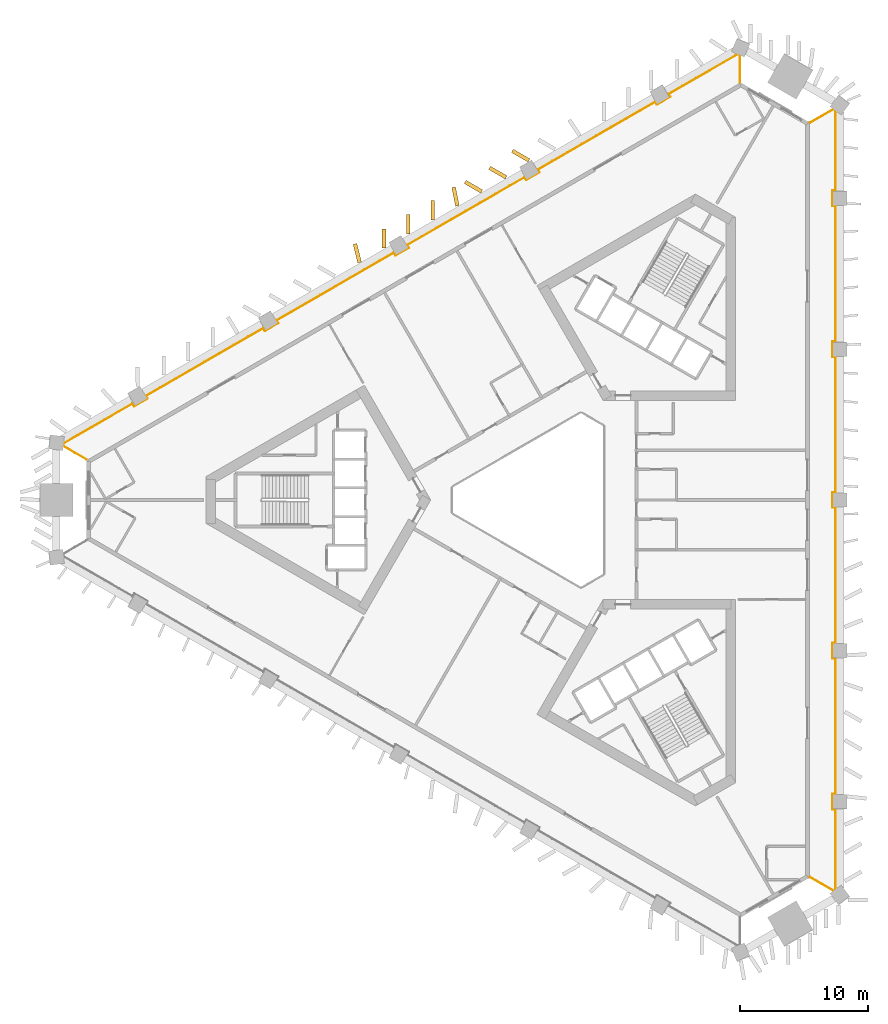
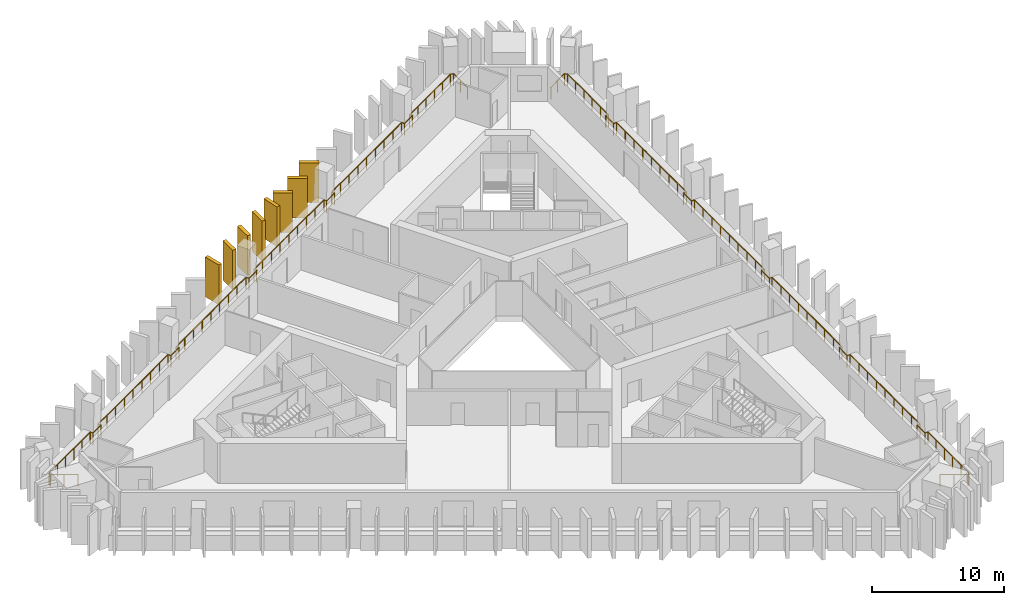
# One storey, part 10 of 11: 8 shading devices, 2 railings.
"""IFC4 building model written with IfcOpenShell, lengths in metres."""

from ifc_helpers import new_model, si_unit, direction, frame, frame_2d, origin, origin_2d, place, context, subcontext, project, spatial, rectangle, circle, extrude, material, layer, layer_set, type_object, element, save


model = new_model("IFC4")

# Units and contexts
model_context = context("Model", 3, precision=1e-05, world=origin(), true_north=direction((0.0, 1.0)))
body_context = subcontext(model_context, "Body", "Model", "MODEL_VIEW")
ifc_project = project(units=[si_unit("LENGTHUNIT", "METRE"), si_unit("AREAUNIT", "SQUARE_METRE"), si_unit("VOLUMEUNIT", "CUBIC_METRE"), si_unit("PLANEANGLEUNIT", "RADIAN"), si_unit("MASSUNIT", "GRAM", prefix="KILO")], contexts=[model_context])

# Site, building, storey
site_placement = place(None, origin())
site = spatial("IfcSite", under=ifc_project, at=site_placement, CompositionType="ELEMENT")
building_placement = place(site_placement, origin())
building = spatial("IfcBuilding", under=site, at=building_placement, Name="Jabali Bay Hotel Tower and Convention Centre", CompositionType="ELEMENT")
storey_placement = place(building_placement, frame((0.0, 0.0, 79.5)))
storey = spatial("IfcBuildingStorey", under=building, at=storey_placement, Name="L18", CompositionType="ELEMENT", Elevation=79.5)

# Railings
ifc_material_1 = material(Name="Glass", Category="glass")
railing_type = type_object("IfcRailingType", Name="Loggia glass guard 1100", PredefinedType="BALUSTRADE", material=ifc_material_1)
railing_1_placement = place(storey_placement, frame((95.70068359375, 109.533447265625, 0.0)))
element("IfcRailing", 1, at=railing_1_placement, inside=storey, type_object=railing_type, Name="Loggia glass guard L18", PredefinedType="BALUSTRADE", context=body_context, shape_type="SweptSolid", body=[
    extrude(circle(Radius=0.02490234375, at=origin_2d()), frame((0.0, 0.0, 1.0751953125), z_axis=(0.866006443985, 0.500032837899, 0.0), x_axis=(-0.495754987653, 0.858597638805, 0.13052619222)), (0.0, 0.0, 1.0), 2.110595703125),
    extrude(circle(Radius=0.02490234375, at=origin_2d()), frame((1.827880859375, 1.055419921875, 1.0751953125), z_axis=(0.80204311034, -0.597266145998, 0.0), x_axis=(0.592156451322, 0.795181520347, 0.13052619222)), (0.0, 0.0, 1.0), 0.214599609375),
    extrude(circle(Radius=0.02490234375, at=origin_2d()), frame((2.0, 0.92724609375, 1.0751953125), z_axis=(0.0, -1.0, 0.0), x_axis=(0.991444861374, 0.0, 0.13052619222)), (0.0, 0.0, 1.0), 6.236328125),
    extrude(circle(Radius=0.02490234375, at=origin_2d()), frame((2.0, -5.30908203125, 1.0751953125), z_axis=(-1.0, 0.0, 0.0), x_axis=(0.0, -0.991444861374, 0.13052619222)), (0.0, 0.0, 1.0), 0.25),
    extrude(circle(Radius=0.02490234375, at=origin_2d()), frame((1.75, -5.30908203125, 1.0751953125), z_axis=(0.0, -1.0, 0.0), x_axis=(0.991444861374, 0.0, 0.13052619222)), (0.0, 0.0, 1.0), 1.199951171875),
    extrude(circle(Radius=0.02490234375, at=origin_2d()), frame((1.75, -6.509033203125, 1.0751953125), z_axis=(1.0, 0.0, 0.0), x_axis=(0.0, 0.991444861374, 0.13052619222)), (0.0, 0.0, 1.0), 0.25),
    extrude(circle(Radius=0.02490234375, at=origin_2d()), frame((2.0, -6.509033203125, 1.0751953125), z_axis=(0.0, -1.0, 0.0), x_axis=(0.991444861374, 0.0, 0.13052619222)), (0.0, 0.0, 1.0), 10.6123046875),
    extrude(circle(Radius=0.02490234375, at=origin_2d()), frame((2.0, -17.121337890625, 1.0751953125), z_axis=(-1.0, 0.0, 0.0), x_axis=(0.0, -0.991444861374, 0.13052619222)), (0.0, 0.0, 1.0), 0.25),
    extrude(circle(Radius=0.02490234375, at=origin_2d()), frame((1.75, -17.121337890625, 1.0751953125), z_axis=(0.0, -1.0, 0.0), x_axis=(0.991444861374, 0.0, 0.13052619222)), (0.0, 0.0, 1.0), 1.199951171875),
    extrude(circle(Radius=0.02490234375, at=origin_2d()), frame((1.75, -18.3212890625, 1.0751953125), z_axis=(1.0, 0.0, 0.0), x_axis=(0.0, 0.991444861374, 0.13052619222)), (0.0, 0.0, 1.0), 0.25),
    extrude(circle(Radius=0.02490234375, at=origin_2d()), frame((2.0, -18.3212890625, 1.0751953125), z_axis=(0.0, -1.0, 0.0), x_axis=(0.991444861374, 0.0, 0.13052619222)), (0.0, 0.0, 1.0), 10.612060546875),
    extrude(circle(Radius=0.02490234375, at=origin_2d()), frame((2.0, -28.933349609375, 1.0751953125), z_axis=(-1.0, 0.0, 0.0), x_axis=(0.0, -0.991444861374, 0.13052619222)), (0.0, 0.0, 1.0), 0.25),
    extrude(circle(Radius=0.02490234375, at=origin_2d()), frame((1.75, -28.933349609375, 1.0751953125), z_axis=(0.0, -1.0, 0.0), x_axis=(0.991444861374, 0.0, 0.13052619222)), (0.0, 0.0, 1.0), 1.2001953125),
    extrude(circle(Radius=0.02490234375, at=origin_2d()), frame((1.75, -30.133544921875, 1.0751953125), z_axis=(1.0, 0.0, 0.0), x_axis=(0.0, 0.991444861374, 0.13052619222)), (0.0, 0.0, 1.0), 0.25),
    extrude(circle(Radius=0.02490234375, at=origin_2d()), frame((2.0, -30.133544921875, 1.0751953125), z_axis=(0.0, -1.0, 0.0), x_axis=(0.991444861374, 0.0, 0.13052619222)), (0.0, 0.0, 1.0), 10.612060546875),
    extrude(circle(Radius=0.02490234375, at=origin_2d()), frame((2.0, -40.74560546875, 1.0751953125), z_axis=(-1.0, 0.0, 0.0), x_axis=(0.0, -0.991444861374, 0.13052619222)), (0.0, 0.0, 1.0), 0.25),
    extrude(circle(Radius=0.02490234375, at=origin_2d()), frame((1.75, -40.74560546875, 1.0751953125), z_axis=(0.0, -1.0, 0.0), x_axis=(0.991444861374, 0.0, 0.13052619222)), (0.0, 0.0, 1.0), 1.199951171875),
    extrude(circle(Radius=0.02490234375, at=origin_2d()), frame((1.75, -41.945556640625, 1.0751953125), z_axis=(1.0, 0.0, 0.0), x_axis=(0.0, 0.991444861374, 0.13052619222)), (0.0, 0.0, 1.0), 0.25),
    extrude(circle(Radius=0.02490234375, at=origin_2d()), frame((2.0, -41.945556640625, 1.0751953125), z_axis=(0.0, -1.0, 0.0), x_axis=(0.991444861374, 0.0, 0.13052619222)), (0.0, 0.0, 1.0), 10.6123046875),
    extrude(circle(Radius=0.02490234375, at=origin_2d()), frame((2.0, -52.557861328125, 1.0751953125), z_axis=(-1.0, 0.0, 0.0), x_axis=(0.0, -0.991444861374, 0.13052619222)), (0.0, 0.0, 1.0), 0.25),
    extrude(circle(Radius=0.02490234375, at=origin_2d()), frame((1.75, -52.557861328125, 1.0751953125), z_axis=(0.0, -1.0, 0.0), x_axis=(0.991444861374, 0.0, 0.13052619222)), (0.0, 0.0, 1.0), 1.199951171875),
    extrude(circle(Radius=0.02490234375, at=origin_2d()), frame((1.75, -53.7578125, 1.0751953125), z_axis=(1.0, 0.0, 0.0), x_axis=(0.0, 0.991444861374, 0.13052619222)), (0.0, 0.0, 1.0), 0.25),
    extrude(circle(Radius=0.02490234375, at=origin_2d()), frame((2.0, -53.7578125, 1.0751953125), z_axis=(0.0, -1.0, 0.0), x_axis=(0.991444861374, 0.0, 0.13052619222)), (0.0, 0.0, 1.0), 6.236328125),
    extrude(circle(Radius=0.02490234375, at=origin_2d()), frame((2.0, -59.994140625, 1.0751953125), z_axis=(-0.80204311034, -0.597266145998, 0.0), x_axis=(0.592156451322, -0.795181520347, 0.13052619222)), (0.0, 0.0, 1.0), 0.214599609375),
    extrude(circle(Radius=0.02490234375, at=origin_2d()), frame((1.827880859375, -60.122314453125, 1.0751953125), z_axis=(-0.866006443985, 0.500032837899, 0.0), x_axis=(-0.495754987653, -0.858597638805, 0.13052619222)), (0.0, 0.0, 1.0), 2.110595703125),
    extrude(circle(Radius=0.02001953125, at=origin_2d()), origin(), (0.0, 0.0, 1.0), 1.050048828125),
    extrude(circle(Radius=0.02001953125, at=origin_2d()), frame((0.9140625, 0.52783203125, 0.0)), (0.0, 0.0, 1.0), 1.050048828125),
    extrude(circle(Radius=0.02001953125, at=origin_2d()), frame((1.827880859375, 1.055419921875, 0.0)), (0.0, 0.0, 1.0), 1.050048828125),
    extrude(circle(Radius=0.02001953125, at=origin_2d()), frame((2.0, 0.92724609375, 0.0)), (0.0, 0.0, 1.0), 1.050048828125),
    extrude(circle(Radius=0.02001953125, at=origin_2d()), frame((2.0, -0.320068359375, 0.0)), (0.0, 0.0, 1.0), 1.050048828125),
    extrude(circle(Radius=0.02001953125, at=origin_2d()), frame((2.0, -1.5673828125, 0.0)), (0.0, 0.0, 1.0), 1.050048828125),
    extrude(circle(Radius=0.02001953125, at=origin_2d()), frame((2.0, -2.814453125, 0.0)), (0.0, 0.0, 1.0), 1.050048828125),
    extrude(circle(Radius=0.02001953125, at=origin_2d()), frame((2.0, -4.061767578125, 0.0)), (0.0, 0.0, 1.0), 1.050048828125),
    extrude(circle(Radius=0.02001953125, at=origin_2d()), frame((2.0, -5.30908203125, 0.0)), (0.0, 0.0, 1.0), 1.050048828125),
    extrude(circle(Radius=0.02001953125, at=origin_2d()), frame((1.75, -5.30908203125, 0.0)), (0.0, 0.0, 1.0), 1.050048828125),
    extrude(circle(Radius=0.02001953125, at=origin_2d()), frame((1.75, -6.509033203125, 0.0)), (0.0, 0.0, 1.0), 1.050048828125),
    extrude(circle(Radius=0.02001953125, at=origin_2d()), frame((2.0, -6.509033203125, 0.0)), (0.0, 0.0, 1.0), 1.050048828125),
    extrude(circle(Radius=0.02001953125, at=origin_2d()), frame((2.0, -7.83544921875, 0.0)), (0.0, 0.0, 1.0), 1.050048828125),
    extrude(circle(Radius=0.02001953125, at=origin_2d()), frame((2.0, -9.162109375, 0.0)), (0.0, 0.0, 1.0), 1.050048828125),
    extrude(circle(Radius=0.02001953125, at=origin_2d()), frame((2.0, -10.48876953125, 0.0)), (0.0, 0.0, 1.0), 1.050048828125),
    extrude(circle(Radius=0.02001953125, at=origin_2d()), frame((2.0, -11.815185546875, 0.0)), (0.0, 0.0, 1.0), 1.050048828125),
    extrude(circle(Radius=0.02001953125, at=origin_2d()), frame((2.0, -13.1416015625, 0.0)), (0.0, 0.0, 1.0), 1.050048828125),
    extrude(circle(Radius=0.02001953125, at=origin_2d()), frame((2.0, -14.46826171875, 0.0)), (0.0, 0.0, 1.0), 1.050048828125),
    extrude(circle(Radius=0.02001953125, at=origin_2d()), frame((2.0, -15.794921875, 0.0)), (0.0, 0.0, 1.0), 1.050048828125),
    extrude(circle(Radius=0.02001953125, at=origin_2d()), frame((2.0, -17.121337890625, 0.0)), (0.0, 0.0, 1.0), 1.050048828125),
    extrude(circle(Radius=0.02001953125, at=origin_2d()), frame((1.75, -17.121337890625, 0.0)), (0.0, 0.0, 1.0), 1.050048828125),
    extrude(circle(Radius=0.02001953125, at=origin_2d()), frame((1.75, -18.3212890625, 0.0)), (0.0, 0.0, 1.0), 1.050048828125),
    extrude(circle(Radius=0.02001953125, at=origin_2d()), frame((2.0, -18.3212890625, 0.0)), (0.0, 0.0, 1.0), 1.050048828125),
    extrude(circle(Radius=0.02001953125, at=origin_2d()), frame((2.0, -19.647705078125, 0.0)), (0.0, 0.0, 1.0), 1.050048828125),
    extrude(circle(Radius=0.02001953125, at=origin_2d()), frame((2.0, -20.974365234375, 0.0)), (0.0, 0.0, 1.0), 1.050048828125),
    extrude(circle(Radius=0.02001953125, at=origin_2d()), frame((2.0, -22.30078125, 0.0)), (0.0, 0.0, 1.0), 1.050048828125),
    extrude(circle(Radius=0.02001953125, at=origin_2d()), frame((2.0, -23.62744140625, 0.0)), (0.0, 0.0, 1.0), 1.050048828125),
    extrude(circle(Radius=0.02001953125, at=origin_2d()), frame((2.0, -24.953857421875, 0.0)), (0.0, 0.0, 1.0), 1.050048828125),
    extrude(circle(Radius=0.02001953125, at=origin_2d()), frame((2.0, -26.2802734375, 0.0)), (0.0, 0.0, 1.0), 1.050048828125),
    extrude(circle(Radius=0.02001953125, at=origin_2d()), frame((2.0, -27.60693359375, 0.0)), (0.0, 0.0, 1.0), 1.050048828125),
    extrude(circle(Radius=0.02001953125, at=origin_2d()), frame((2.0, -28.933349609375, 0.0)), (0.0, 0.0, 1.0), 1.050048828125),
    extrude(circle(Radius=0.02001953125, at=origin_2d()), frame((1.75, -28.933349609375, 0.0)), (0.0, 0.0, 1.0), 1.050048828125),
    extrude(circle(Radius=0.02001953125, at=origin_2d()), frame((1.75, -30.133544921875, 0.0)), (0.0, 0.0, 1.0), 1.050048828125),
    extrude(circle(Radius=0.02001953125, at=origin_2d()), frame((2.0, -30.133544921875, 0.0)), (0.0, 0.0, 1.0), 1.050048828125),
    extrude(circle(Radius=0.02001953125, at=origin_2d()), frame((2.0, -31.4599609375, 0.0)), (0.0, 0.0, 1.0), 1.050048828125),
    extrude(circle(Radius=0.02001953125, at=origin_2d()), frame((2.0, -32.78662109375, 0.0)), (0.0, 0.0, 1.0), 1.050048828125),
    extrude(circle(Radius=0.02001953125, at=origin_2d()), frame((2.0, -34.113037109375, 0.0)), (0.0, 0.0, 1.0), 1.050048828125),
    extrude(circle(Radius=0.02001953125, at=origin_2d()), frame((2.0, -35.439453125, 0.0)), (0.0, 0.0, 1.0), 1.050048828125),
    extrude(circle(Radius=0.02001953125, at=origin_2d()), frame((2.0, -36.76611328125, 0.0)), (0.0, 0.0, 1.0), 1.050048828125),
    extrude(circle(Radius=0.02001953125, at=origin_2d()), frame((2.0, -38.092529296875, 0.0)), (0.0, 0.0, 1.0), 1.050048828125),
    extrude(circle(Radius=0.02001953125, at=origin_2d()), frame((2.0, -39.419189453125, 0.0)), (0.0, 0.0, 1.0), 1.050048828125),
    extrude(circle(Radius=0.02001953125, at=origin_2d()), frame((2.0, -40.74560546875, 0.0)), (0.0, 0.0, 1.0), 1.050048828125),
    extrude(circle(Radius=0.02001953125, at=origin_2d()), frame((1.75, -40.74560546875, 0.0)), (0.0, 0.0, 1.0), 1.050048828125),
    extrude(circle(Radius=0.02001953125, at=origin_2d()), frame((1.75, -41.945556640625, 0.0)), (0.0, 0.0, 1.0), 1.050048828125),
    extrude(circle(Radius=0.02001953125, at=origin_2d()), frame((2.0, -41.945556640625, 0.0)), (0.0, 0.0, 1.0), 1.050048828125),
    extrude(circle(Radius=0.02001953125, at=origin_2d()), frame((2.0, -43.27197265625, 0.0)), (0.0, 0.0, 1.0), 1.050048828125),
    extrude(circle(Radius=0.02001953125, at=origin_2d()), frame((2.0, -44.5986328125, 0.0)), (0.0, 0.0, 1.0), 1.050048828125),
    extrude(circle(Radius=0.02001953125, at=origin_2d()), frame((2.0, -45.92529296875, 0.0)), (0.0, 0.0, 1.0), 1.050048828125),
    extrude(circle(Radius=0.02001953125, at=origin_2d()), frame((2.0, -47.251708984375, 0.0)), (0.0, 0.0, 1.0), 1.050048828125),
    extrude(circle(Radius=0.02001953125, at=origin_2d()), frame((2.0, -48.578125, 0.0)), (0.0, 0.0, 1.0), 1.050048828125),
    extrude(circle(Radius=0.02001953125, at=origin_2d()), frame((2.0, -49.90478515625, 0.0)), (0.0, 0.0, 1.0), 1.050048828125),
    extrude(circle(Radius=0.02001953125, at=origin_2d()), frame((2.0, -51.2314453125, 0.0)), (0.0, 0.0, 1.0), 1.050048828125),
    extrude(circle(Radius=0.02001953125, at=origin_2d()), frame((2.0, -52.557861328125, 0.0)), (0.0, 0.0, 1.0), 1.050048828125),
    extrude(circle(Radius=0.02001953125, at=origin_2d()), frame((1.75, -52.557861328125, 0.0)), (0.0, 0.0, 1.0), 1.050048828125),
    extrude(circle(Radius=0.02001953125, at=origin_2d()), frame((1.75, -53.7578125, 0.0)), (0.0, 0.0, 1.0), 1.050048828125),
    extrude(circle(Radius=0.02001953125, at=origin_2d()), frame((2.0, -53.7578125, 0.0)), (0.0, 0.0, 1.0), 1.050048828125),
    extrude(circle(Radius=0.02001953125, at=origin_2d()), frame((2.0, -55.005126953125, 0.0)), (0.0, 0.0, 1.0), 1.050048828125),
    extrude(circle(Radius=0.02001953125, at=origin_2d()), frame((2.0, -56.25244140625, 0.0)), (0.0, 0.0, 1.0), 1.050048828125),
    extrude(circle(Radius=0.02001953125, at=origin_2d()), frame((2.0, -57.49951171875, 0.0)), (0.0, 0.0, 1.0), 1.050048828125),
    extrude(circle(Radius=0.02001953125, at=origin_2d()), frame((2.0, -58.746826171875, 0.0)), (0.0, 0.0, 1.0), 1.050048828125),
    extrude(circle(Radius=0.02001953125, at=origin_2d()), frame((2.0, -59.994140625, 0.0)), (0.0, 0.0, 1.0), 1.050048828125),
    extrude(circle(Radius=0.02001953125, at=origin_2d()), frame((1.827880859375, -60.122314453125, 0.0)), (0.0, 0.0, 1.0), 1.050048828125),
    extrude(circle(Radius=0.02001953125, at=origin_2d()), frame((0.9140625, -59.5947265625, 0.0)), (0.0, 0.0, 1.0), 1.050048828125),
    extrude(circle(Radius=0.02001953125, at=origin_2d()), frame((0.0, -59.06689453125, 0.0)), (0.0, 0.0, 1.0), 1.050048828125),
])
railing_2_placement = place(storey_placement, frame((39.072998046875, 83.160400390625, 0.0)))
element("IfcRailing", 2, at=railing_2_placement, inside=storey, type_object=railing_type, Name="Loggia glass guard L18", PredefinedType="BALUSTRADE", context=body_context, shape_type="SweptSolid", body=[
    extrude(circle(Radius=0.02490234375, at=origin_2d()), frame((0.0, 0.0, 1.0751953125), z_axis=(-0.866006443985, 0.500032837899, 0.0), x_axis=(-0.495754987653, -0.858597638805, 0.13052619222)), (0.0, 0.0, 1.0), 2.110595703125),
    extrude(circle(Radius=0.02490234375, at=origin_2d()), frame((-1.827880859375, 1.055419921875, 1.0751953125), z_axis=(0.116049066602, 0.993243481801, 0.0), x_axis=(-0.984746146125, 0.11505625075, 0.13052619222)), (0.0, 0.0, 1.0), 0.214599609375),
    extrude(circle(Radius=0.02490234375, at=origin_2d()), frame((-1.802978515625, 1.2685546875, 1.0751953125), z_axis=(0.866027821991, 0.499995811521, 0.0), x_axis=(-0.495718278041, 0.858618833919, 0.13052619222)), (0.0, 0.0, 1.0), 6.236328125),
    extrude(circle(Radius=0.02490234375, at=origin_2d()), frame((3.597900390625, 4.38671875, 1.0751953125), z_axis=(0.499919672301, -0.866071776036, 0.0), x_axis=(0.858662411932, 0.495642790202, 0.13052619222)), (0.0, 0.0, 1.0), 0.25),
    extrude(circle(Radius=0.02490234375, at=origin_2d()), frame((3.722900390625, 4.170166015625, 1.0751953125), z_axis=(0.865955154139, 0.50012165622, 0.0), x_axis=(-0.495843046121, 0.858546787751, 0.13052619222)), (0.0, 0.0, 1.0), 1.199951171875),
    extrude(circle(Radius=0.02490234375, at=origin_2d()), frame((4.761962890625, 4.770263671875, 1.0751953125), z_axis=(-0.499919672301, 0.866071776036, 0.0), x_axis=(-0.858662411932, -0.495642790202, 0.13052619222)), (0.0, 0.0, 1.0), 0.25),
    extrude(circle(Radius=0.02490234375, at=origin_2d()), frame((4.636962890625, 4.98681640625, 1.0751953125), z_axis=(0.866023147778, 0.500003907497, 0.0), x_axis=(-0.495726304755, 0.858614199696, 0.13052619222)), (0.0, 0.0, 1.0), 10.6123046875),
    extrude(circle(Radius=0.02490234375, at=origin_2d()), frame((13.827392578125, 10.29296875, 1.0751953125), z_axis=(0.499919672301, -0.866071776036, 0.0), x_axis=(0.858662411932, 0.495642790202, 0.13052619222)), (0.0, 0.0, 1.0), 0.25),
    extrude(circle(Radius=0.02490234375, at=origin_2d()), frame((13.952392578125, 10.076416015625, 1.0751953125), z_axis=(0.866094119867, 0.499880961361, 0.0), x_axis=(-0.49560441044, 0.858684564609, 0.13052619222)), (0.0, 0.0, 1.0), 1.199951171875),
    extrude(circle(Radius=0.02490234375, at=origin_2d()), frame((14.99169921875, 10.67626953125, 1.0751953125), z_axis=(-0.499919672301, 0.866071776036, 0.0), x_axis=(-0.858662411932, -0.495642790202, 0.13052619222)), (0.0, 0.0, 1.0), 0.25),
    extrude(circle(Radius=0.02490234375, at=origin_2d()), frame((14.86669921875, 10.892822265625, 1.0751953125), z_axis=(0.866023147778, 0.500003907497, 0.0), x_axis=(-0.495726304755, 0.858614199696, 0.13052619222)), (0.0, 0.0, 1.0), 10.6123046875),
    extrude(circle(Radius=0.02490234375, at=origin_2d()), frame((24.05712890625, 16.198974609375, 1.0751953125), z_axis=(0.499919672301, -0.866071776036, 0.0), x_axis=(0.858662411932, 0.495642790202, 0.13052619222)), (0.0, 0.0, 1.0), 0.25),
    extrude(circle(Radius=0.02490234375, at=origin_2d()), frame((24.18212890625, 15.982421875, 1.0751953125), z_axis=(0.865955154139, 0.50012165622, 0.0), x_axis=(-0.495843046121, 0.858546787751, 0.13052619222)), (0.0, 0.0, 1.0), 1.199951171875),
    extrude(circle(Radius=0.02490234375, at=origin_2d()), frame((25.22119140625, 16.58251953125, 1.0751953125), z_axis=(-0.500342721131, 0.865827443207, 0.0), x_axis=(-0.858420169404, -0.496062219791, 0.13052619222)), (0.0, 0.0, 1.0), 0.249755859375),
    extrude(circle(Radius=0.02490234375, at=origin_2d()), frame((25.09619140625, 16.798828125, 1.0751953125), z_axis=(0.866023147778, 0.500003907497, 0.0), x_axis=(-0.495726304755, 0.858614199696, 0.13052619222)), (0.0, 0.0, 1.0), 10.6123046875),
    extrude(circle(Radius=0.02490234375, at=origin_2d()), frame((34.28662109375, 22.10498046875, 1.0751953125), z_axis=(0.499919672301, -0.866071776036, 0.0), x_axis=(0.858662411932, 0.495642790202, 0.13052619222)), (0.0, 0.0, 1.0), 0.25),
    extrude(circle(Radius=0.02490234375, at=origin_2d()), frame((34.41162109375, 21.888427734375, 1.0751953125), z_axis=(0.866006032174, 0.500033551112, 0.0), x_axis=(-0.495755694765, 0.858597230518, 0.13052619222)), (0.0, 0.0, 1.0), 1.2001953125),
    extrude(circle(Radius=0.02490234375, at=origin_2d()), frame((35.450927734375, 22.488525390625, 1.0751953125), z_axis=(-0.499919672301, 0.866071776036, 0.0), x_axis=(-0.858662411932, -0.495642790202, 0.13052619222)), (0.0, 0.0, 1.0), 0.25),
    extrude(circle(Radius=0.02490234375, at=origin_2d()), frame((35.325927734375, 22.705078125, 1.0751953125), z_axis=(0.866033109494, 0.499986653082, 0.0), x_axis=(-0.495709197954, 0.858624076187, 0.13052619222)), (0.0, 0.0, 1.0), 10.612060546875),
    extrude(circle(Radius=0.02490234375, at=origin_2d()), frame((44.516357421875, 28.010986328125, 1.0751953125), z_axis=(0.500342721131, -0.865827443207, 0.0), x_axis=(0.858420169404, 0.496062219791, 0.13052619222)), (0.0, 0.0, 1.0), 0.249755859375),
    extrude(circle(Radius=0.02490234375, at=origin_2d()), frame((44.641357421875, 27.794677734375, 1.0751953125), z_axis=(0.866094119867, 0.499880961361, 0.0), x_axis=(-0.49560441044, 0.858684564609, 0.13052619222)), (0.0, 0.0, 1.0), 1.199951171875),
    extrude(circle(Radius=0.02490234375, at=origin_2d()), frame((45.6806640625, 28.39453125, 1.0751953125), z_axis=(-0.499919672301, 0.866071776036, 0.0), x_axis=(-0.858662411932, -0.495642790202, 0.13052619222)), (0.0, 0.0, 1.0), 0.25),
    extrude(circle(Radius=0.02490234375, at=origin_2d()), frame((45.5556640625, 28.611083984375, 1.0751953125), z_axis=(0.866018034705, 0.500012763403, 0.0), x_axis=(-0.495735084898, 0.858609130365, 0.13052619222)), (0.0, 0.0, 1.0), 6.236083984375),
    extrude(circle(Radius=0.02490234375, at=origin_2d()), frame((50.956298828125, 31.729248046875, 1.0751953125), z_axis=(0.918438029816, -0.395564894029, 0.0), x_axis=(0.392180781525, 0.910580665151, 0.13052619222)), (0.0, 0.0, 1.0), 0.21484375),
    extrude(circle(Radius=0.02490234375, at=origin_2d()), frame((51.153564453125, 31.644287109375, 1.0751953125), z_axis=(0.0, -1.0, 0.0), x_axis=(0.991444861374, 0.0, 0.13052619222)), (0.0, 0.0, 1.0), 2.110595703125),
    extrude(circle(Radius=0.02001953125, at=origin_2d()), origin(), (0.0, 0.0, 1.0), 1.050048828125),
    extrude(circle(Radius=0.02001953125, at=origin_2d()), frame((-0.9140625, 0.52783203125, 0.0)), (0.0, 0.0, 1.0), 1.050048828125),
    extrude(circle(Radius=0.02001953125, at=origin_2d()), frame((-1.827880859375, 1.055419921875, 0.0)), (0.0, 0.0, 1.0), 1.050048828125),
    extrude(circle(Radius=0.02001953125, at=origin_2d()), frame((-1.802978515625, 1.2685546875, 0.0)), (0.0, 0.0, 1.0), 1.050048828125),
    extrude(circle(Radius=0.02001953125, at=origin_2d()), frame((-0.722900390625, 1.89208984375, 0.0)), (0.0, 0.0, 1.0), 1.050048828125),
    extrude(circle(Radius=0.02001953125, at=origin_2d()), frame((0.357421875, 2.515869140625, 0.0)), (0.0, 0.0, 1.0), 1.050048828125),
    extrude(circle(Radius=0.02001953125, at=origin_2d()), frame((1.4375, 3.139404296875, 0.0)), (0.0, 0.0, 1.0), 1.050048828125),
    extrude(circle(Radius=0.02001953125, at=origin_2d()), frame((2.517822265625, 3.76318359375, 0.0)), (0.0, 0.0, 1.0), 1.050048828125),
    extrude(circle(Radius=0.02001953125, at=origin_2d()), frame((3.597900390625, 4.38671875, 0.0)), (0.0, 0.0, 1.0), 1.050048828125),
    extrude(circle(Radius=0.02001953125, at=origin_2d()), frame((3.722900390625, 4.170166015625, 0.0)), (0.0, 0.0, 1.0), 1.050048828125),
    extrude(circle(Radius=0.02001953125, at=origin_2d()), frame((4.761962890625, 4.770263671875, 0.0)), (0.0, 0.0, 1.0), 1.050048828125),
    extrude(circle(Radius=0.02001953125, at=origin_2d()), frame((4.636962890625, 4.98681640625, 0.0)), (0.0, 0.0, 1.0), 1.050048828125),
    extrude(circle(Radius=0.02001953125, at=origin_2d()), frame((5.78564453125, 5.650146484375, 0.0)), (0.0, 0.0, 1.0), 1.050048828125),
    extrude(circle(Radius=0.02001953125, at=origin_2d()), frame((6.9345703125, 6.3134765625, 0.0)), (0.0, 0.0, 1.0), 1.050048828125),
    extrude(circle(Radius=0.02001953125, at=origin_2d()), frame((8.08349609375, 6.9765625, 0.0)), (0.0, 0.0, 1.0), 1.050048828125),
    extrude(circle(Radius=0.02001953125, at=origin_2d()), frame((9.232177734375, 7.639892578125, 0.0)), (0.0, 0.0, 1.0), 1.050048828125),
    extrude(circle(Radius=0.02001953125, at=origin_2d()), frame((10.380859375, 8.30322265625, 0.0)), (0.0, 0.0, 1.0), 1.050048828125),
    extrude(circle(Radius=0.02001953125, at=origin_2d()), frame((11.52978515625, 8.96630859375, 0.0)), (0.0, 0.0, 1.0), 1.050048828125),
    extrude(circle(Radius=0.02001953125, at=origin_2d()), frame((12.6787109375, 9.629638671875, 0.0)), (0.0, 0.0, 1.0), 1.050048828125),
    extrude(circle(Radius=0.02001953125, at=origin_2d()), frame((13.827392578125, 10.29296875, 0.0)), (0.0, 0.0, 1.0), 1.050048828125),
    extrude(circle(Radius=0.02001953125, at=origin_2d()), frame((13.952392578125, 10.076416015625, 0.0)), (0.0, 0.0, 1.0), 1.050048828125),
    extrude(circle(Radius=0.02001953125, at=origin_2d()), frame((14.99169921875, 10.67626953125, 0.0)), (0.0, 0.0, 1.0), 1.050048828125),
    extrude(circle(Radius=0.02001953125, at=origin_2d()), frame((14.86669921875, 10.892822265625, 0.0)), (0.0, 0.0, 1.0), 1.050048828125),
    extrude(circle(Radius=0.02001953125, at=origin_2d()), frame((16.015625, 11.55615234375, 0.0)), (0.0, 0.0, 1.0), 1.050048828125),
    extrude(circle(Radius=0.02001953125, at=origin_2d()), frame((17.164306640625, 12.21923828125, 0.0)), (0.0, 0.0, 1.0), 1.050048828125),
    extrude(circle(Radius=0.02001953125, at=origin_2d()), frame((18.31298828125, 12.882568359375, 0.0)), (0.0, 0.0, 1.0), 1.050048828125),
    extrude(circle(Radius=0.02001953125, at=origin_2d()), frame((19.4619140625, 13.5458984375, 0.0)), (0.0, 0.0, 1.0), 1.050048828125),
    extrude(circle(Radius=0.02001953125, at=origin_2d()), frame((20.61083984375, 14.209228515625, 0.0)), (0.0, 0.0, 1.0), 1.050048828125),
    extrude(circle(Radius=0.02001953125, at=origin_2d()), frame((21.759521484375, 14.87255859375, 0.0)), (0.0, 0.0, 1.0), 1.050048828125),
    extrude(circle(Radius=0.02001953125, at=origin_2d()), frame((22.908203125, 15.53564453125, 0.0)), (0.0, 0.0, 1.0), 1.050048828125),
    extrude(circle(Radius=0.02001953125, at=origin_2d()), frame((24.05712890625, 16.198974609375, 0.0)), (0.0, 0.0, 1.0), 1.050048828125),
    extrude(circle(Radius=0.02001953125, at=origin_2d()), frame((24.18212890625, 15.982421875, 0.0)), (0.0, 0.0, 1.0), 1.050048828125),
    extrude(circle(Radius=0.02001953125, at=origin_2d()), frame((25.22119140625, 16.58251953125, 0.0)), (0.0, 0.0, 1.0), 1.050048828125),
    extrude(circle(Radius=0.02001953125, at=origin_2d()), frame((25.09619140625, 16.798828125, 0.0)), (0.0, 0.0, 1.0), 1.050048828125),
    extrude(circle(Radius=0.02001953125, at=origin_2d()), frame((26.2451171875, 17.462158203125, 0.0)), (0.0, 0.0, 1.0), 1.050048828125),
    extrude(circle(Radius=0.02001953125, at=origin_2d()), frame((27.393798828125, 18.12548828125, 0.0)), (0.0, 0.0, 1.0), 1.050048828125),
    extrude(circle(Radius=0.02001953125, at=origin_2d()), frame((28.54248046875, 18.78857421875, 0.0)), (0.0, 0.0, 1.0), 1.050048828125),
    extrude(circle(Radius=0.02001953125, at=origin_2d()), frame((29.69140625, 19.451904296875, 0.0)), (0.0, 0.0, 1.0), 1.050048828125),
    extrude(circle(Radius=0.02001953125, at=origin_2d()), frame((30.84033203125, 20.115234375, 0.0)), (0.0, 0.0, 1.0), 1.050048828125),
    extrude(circle(Radius=0.02001953125, at=origin_2d()), frame((31.989013671875, 20.7783203125, 0.0)), (0.0, 0.0, 1.0), 1.050048828125),
    extrude(circle(Radius=0.02001953125, at=origin_2d()), frame((33.1376953125, 21.441650390625, 0.0)), (0.0, 0.0, 1.0), 1.050048828125),
    extrude(circle(Radius=0.02001953125, at=origin_2d()), frame((34.28662109375, 22.10498046875, 0.0)), (0.0, 0.0, 1.0), 1.050048828125),
    extrude(circle(Radius=0.02001953125, at=origin_2d()), frame((34.41162109375, 21.888427734375, 0.0)), (0.0, 0.0, 1.0), 1.050048828125),
    extrude(circle(Radius=0.02001953125, at=origin_2d()), frame((35.450927734375, 22.488525390625, 0.0)), (0.0, 0.0, 1.0), 1.050048828125),
    extrude(circle(Radius=0.02001953125, at=origin_2d()), frame((35.325927734375, 22.705078125, 0.0)), (0.0, 0.0, 1.0), 1.050048828125),
    extrude(circle(Radius=0.02001953125, at=origin_2d()), frame((36.474609375, 23.368408203125, 0.0)), (0.0, 0.0, 1.0), 1.050048828125),
    extrude(circle(Radius=0.02001953125, at=origin_2d()), frame((37.62353515625, 24.031494140625, 0.0)), (0.0, 0.0, 1.0), 1.050048828125),
    extrude(circle(Radius=0.02001953125, at=origin_2d()), frame((38.7724609375, 24.69482421875, 0.0)), (0.0, 0.0, 1.0), 1.050048828125),
    extrude(circle(Radius=0.02001953125, at=origin_2d()), frame((39.921142578125, 25.35791015625, 0.0)), (0.0, 0.0, 1.0), 1.050048828125),
    extrude(circle(Radius=0.02001953125, at=origin_2d()), frame((41.06982421875, 26.021240234375, 0.0)), (0.0, 0.0, 1.0), 1.050048828125),
    extrude(circle(Radius=0.02001953125, at=origin_2d()), frame((42.21875, 26.6845703125, 0.0)), (0.0, 0.0, 1.0), 1.050048828125),
    extrude(circle(Radius=0.02001953125, at=origin_2d()), frame((43.36767578125, 27.34765625, 0.0)), (0.0, 0.0, 1.0), 1.050048828125),
    extrude(circle(Radius=0.02001953125, at=origin_2d()), frame((44.516357421875, 28.010986328125, 0.0)), (0.0, 0.0, 1.0), 1.050048828125),
    extrude(circle(Radius=0.02001953125, at=origin_2d()), frame((44.641357421875, 27.794677734375, 0.0)), (0.0, 0.0, 1.0), 1.050048828125),
    extrude(circle(Radius=0.02001953125, at=origin_2d()), frame((45.6806640625, 28.39453125, 0.0)), (0.0, 0.0, 1.0), 1.050048828125),
    extrude(circle(Radius=0.02001953125, at=origin_2d()), frame((45.5556640625, 28.611083984375, 0.0)), (0.0, 0.0, 1.0), 1.050048828125),
    extrude(circle(Radius=0.02001953125, at=origin_2d()), frame((46.6357421875, 29.234619140625, 0.0)), (0.0, 0.0, 1.0), 1.050048828125),
    extrude(circle(Radius=0.02001953125, at=origin_2d()), frame((47.7158203125, 29.8583984375, 0.0)), (0.0, 0.0, 1.0), 1.050048828125),
    extrude(circle(Radius=0.02001953125, at=origin_2d()), frame((48.796142578125, 30.48193359375, 0.0)), (0.0, 0.0, 1.0), 1.050048828125),
    extrude(circle(Radius=0.02001953125, at=origin_2d()), frame((49.876220703125, 31.105712890625, 0.0)), (0.0, 0.0, 1.0), 1.050048828125),
    extrude(circle(Radius=0.02001953125, at=origin_2d()), frame((50.956298828125, 31.729248046875, 0.0)), (0.0, 0.0, 1.0), 1.050048828125),
    extrude(circle(Radius=0.02001953125, at=origin_2d()), frame((51.153564453125, 31.644287109375, 0.0)), (0.0, 0.0, 1.0), 1.050048828125),
    extrude(circle(Radius=0.02001953125, at=origin_2d()), frame((51.153564453125, 30.5888671875, 0.0)), (0.0, 0.0, 1.0), 1.050048828125),
    extrude(circle(Radius=0.02001953125, at=origin_2d()), frame((51.153564453125, 29.53369140625, 0.0)), (0.0, 0.0, 1.0), 1.050048828125),
])

# Shading devices
ifc_material_2 = material(Name="Precast concrete C60", Category="concrete")
ifc_layer = layer(ifc_material_2, 0.300048828125)
ifc_layer_set = layer_set([ifc_layer], Name="Precast concrete C60")
shading_device_type = type_object("IfcShadingDeviceType", Name="Precast fin 3680 x 1500", PredefinedType="USERDEFINED", material=ifc_layer_set)
for number, where, z_axis, x_axis, name in (
    (3, (73.691650390625, 106.582763671875, 0.010009765625), (0.0, 0.0, 1.0), (-0.866031096941, 0.499990139034, 0.0), "Fin L18 045"),
    (4, (71.90576171875, 105.25439453125, 0.010009765625), (0.0, 0.0, 1.0), (-0.866031096941, 0.499990139034, 0.0), "Fin L18 046"),
    (5, (69.99169921875, 104.148681640625, 0.010009765625), (0.0, 0.0, 1.0), (-0.864350910142, 0.502889156908, 0.0), "Fin L18 047"),
):
    element("IfcShadingDevice", number, at=place(storey_placement, frame(where, z_axis=z_axis, x_axis=x_axis)), inside=storey, type_object=shading_device_type, Name=name, ObjectType="FIN", PredefinedType="USERDEFINED", context=body_context, shape_type="SweptSolid", body=[
        extrude(rectangle(XDim=1.5, YDim=0.300048828125, at=frame_2d((0.75, 0.0))), origin(), (0.0, 0.0, 1.0), 3.679931640625),
    ])
shading_device_placement = place(storey_placement, frame((68.090576171875, 103.020263671875, 0.010009765625), z_axis=(0.0, 0.0, 1.0), x_axis=(-0.197899762775, 0.980222262496, 0.0)))
element("IfcShadingDevice", 6, at=shading_device_placement, inside=storey, type_object=shading_device_type, Name="Fin L18 048", ObjectType="FIN", PredefinedType="USERDEFINED", context=body_context, shape_type="SweptSolid", body=[
    extrude(rectangle(XDim=1.500244140625, YDim=0.300048828125, at=frame_2d((0.75, 0.0))), origin(), (0.0, 0.0, 1.0), 3.679931640625),
])
for number, where, z_axis, x_axis, name in (
    (7, (66.16259765625, 101.9384765625, 0.010009765625), (0.0, 0.0, 1.0), (0.0, 1.0, 0.0), "Fin L18 049"),
    (8, (64.248291015625, 100.833251953125, 0.010009765625), (0.0, 0.0, 1.0), (0.0, 1.0, 0.0), "Fin L18 050"),
    (9, (62.333740234375, 99.72802734375, 0.010009765625), (0.0, 0.0, 1.0), (0.0, 1.0, 0.0), "Fin L18 051"),
    (10, (60.436279296875, 98.593505859375, 0.010009765625), (0.0, 0.0, 1.0), (-0.242497330756, 0.970152072912, 0.0), "Fin L18 052"),
):
    element("IfcShadingDevice", number, at=place(storey_placement, frame(where, z_axis=z_axis, x_axis=x_axis)), inside=storey, type_object=shading_device_type, Name=name, ObjectType="FIN", PredefinedType="USERDEFINED", context=body_context, shape_type="SweptSolid", body=[
        extrude(rectangle(XDim=1.5, YDim=0.300048828125, at=frame_2d((0.75, 0.0))), origin(), (0.0, 0.0, 1.0), 3.679931640625),
    ])

save(model, "model.ifc")
